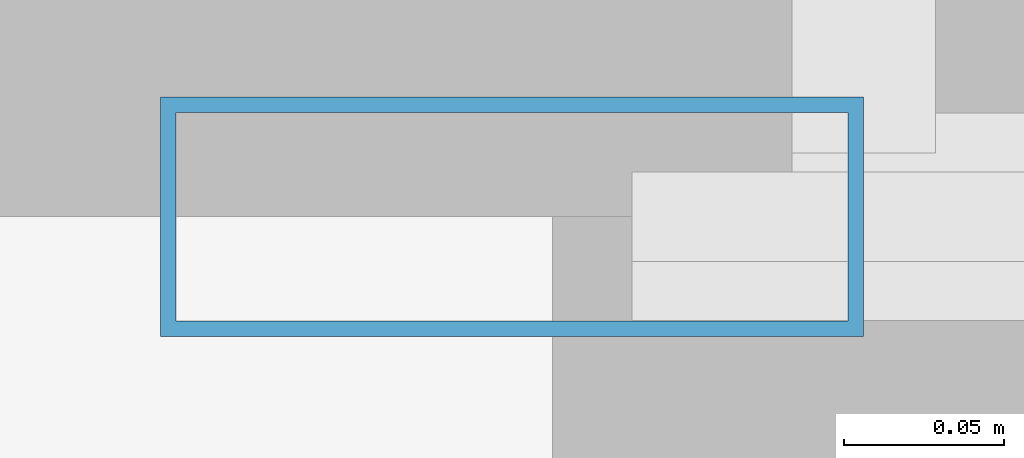
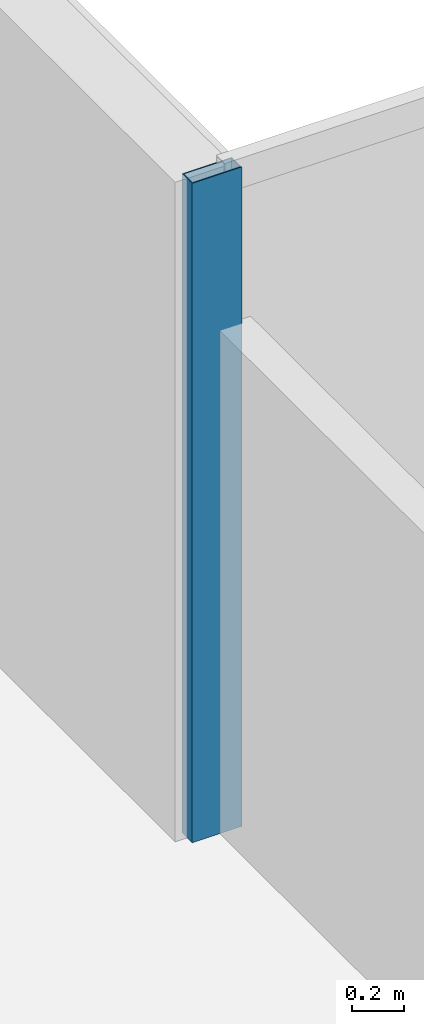
# One storey, part 6 of 23: 1 member, 1 element without a shape of its own.
"""IFC4 building model written with IfcOpenShell, lengths in metres."""

from ifc_helpers import new_model, si_unit, direction, frame, origin, origin_2d, place, context, subcontext, project, spatial, hollow_rectangle, extrude, material, layer, layer_set, material_profile, profile_set, type_object, element, aggregate, save


model = new_model("IFC4")

# Units and contexts
model_context = context("Model", 3, precision=1e-05, world=origin(), true_north=direction((0.0, 1.0)))
body_context = subcontext(model_context, "Body", "Model", "MODEL_VIEW")
ifc_project = project(units=[si_unit("LENGTHUNIT", "METRE"), si_unit("AREAUNIT", "SQUARE_METRE"), si_unit("VOLUMEUNIT", "CUBIC_METRE"), si_unit("PLANEANGLEUNIT", "RADIAN"), si_unit("MASSUNIT", "GRAM", prefix="KILO")], contexts=[model_context])

# Site, building, storey
site_placement = place(None, origin())
site = spatial("IfcSite", under=ifc_project, at=site_placement, CompositionType="ELEMENT")
building_placement = place(site_placement, origin())
building = spatial("IfcBuilding", under=site, at=building_placement, Name="Tanjung Sevakor Pilgrim Tower", CompositionType="ELEMENT")
storey_placement = place(building_placement, frame((0.0, 0.0, 85.469970703125)))
storey = spatial("IfcBuildingStorey", under=building, at=storey_placement, Name="L23", CompositionType="ELEMENT", Elevation=85.469970703125)

# Curtain wall, member
ifc_material_1 = material(Name="Aluminium 6063-T6 and Low-E Glass", Category="aluminium")
ifc_layer = layer(ifc_material_1, 0.179931640625)
ifc_layer_set = layer_set([ifc_layer], Name="CW-SYS-CLEFT")
curtain_wall_type = type_object("IfcCurtainWallType", Name="CW-SYS-CLEFT", PredefinedType="NOTDEFINED", material=ifc_layer_set)
curtain_wall_placement = place(storey_placement, origin())
curtain_wall = element("IfcCurtainWall", 1, at=curtain_wall_placement, inside=storey, type_object=curtain_wall_type, Name="L23 Curtain Wall CW-CLF-L23-10", PredefinedType="NOTDEFINED")
ifc_material_2 = material(Name="Aluminium 6063-T6", Category="aluminium")
ifc_material_profile = material_profile(ifc_material_2, hollow_rectangle(XDim=0.074951171875, YDim=0.219970703125, WallThickness=0.0048828125, at=origin_2d()))
ifc_profile_set = profile_set([ifc_material_profile], Name="Aluminium 6063-T6")
member_type = type_object("IfcMemberType", Name="TYPE-CWM-2", PredefinedType="MULLION", material=ifc_profile_set)
member_placement = place(storey_placement, frame((43.512451171875, 54.074951171875, 0.0), z_axis=(0.0, 0.0, 1.0), x_axis=(0.0, -1.0, 0.0)))
member = element("IfcMember", 2, at=member_placement, type_object=member_type, Name="CW-CLF mullion 2", PredefinedType="MULLION", context=body_context, shape_type="SweptSolid", body=[
    extrude(hollow_rectangle(XDim=0.074951171875, YDim=0.219970703125, WallThickness=0.0048828125, at=origin_2d()), origin(), (0.0, 0.0, 1.0), 3.080078125),
])
aggregate(curtain_wall, [member])

save(model, "model.ifc")
